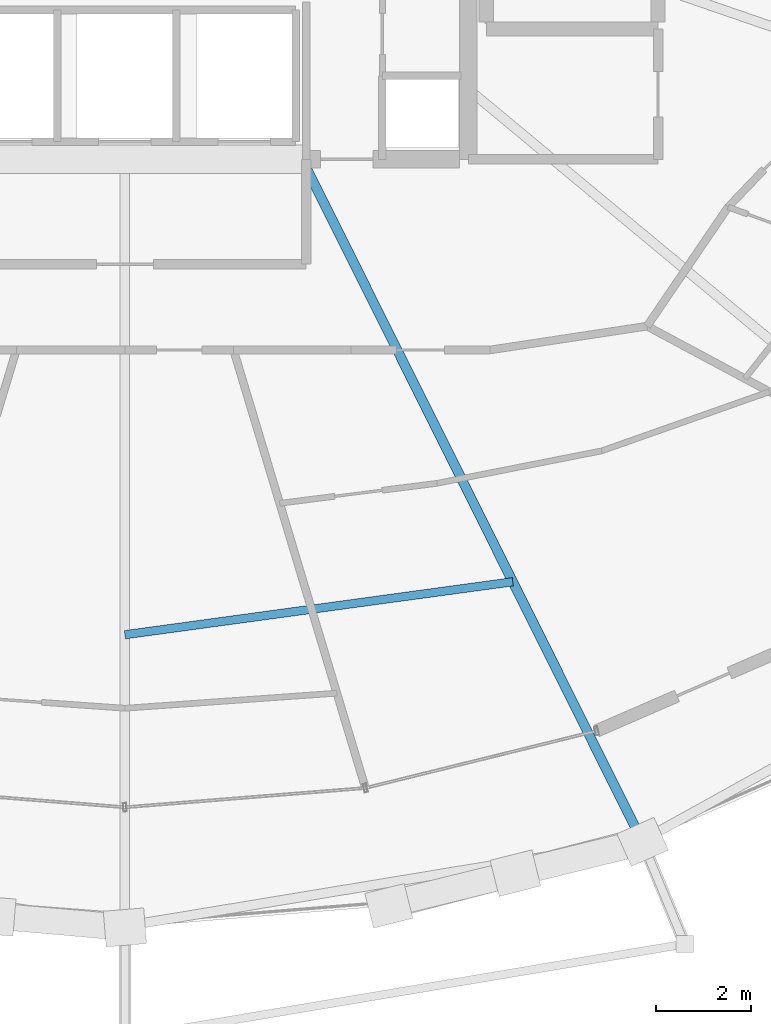
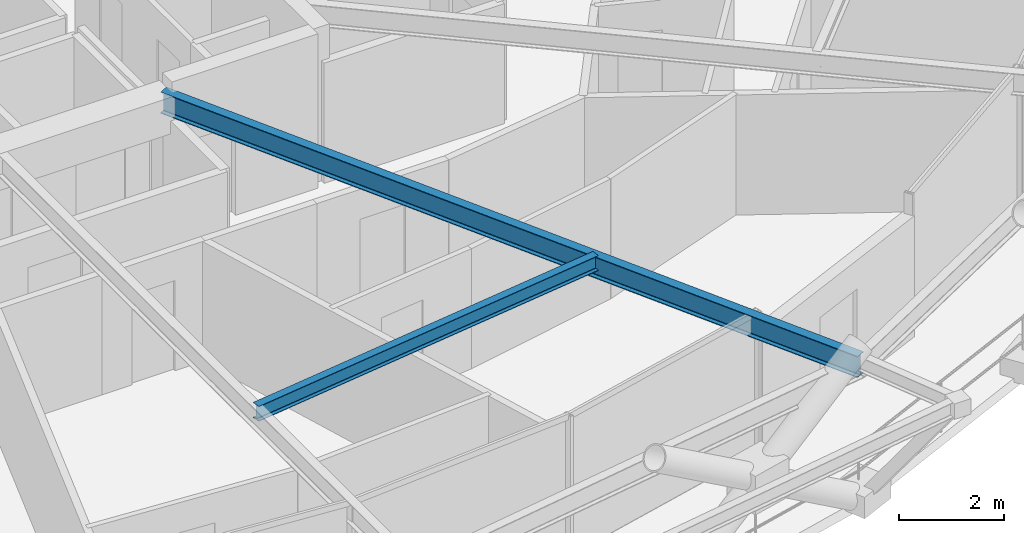
# One storey, part 5 of 22: 2 beams.
"""IFC4 building model written with IfcOpenShell, lengths in metres."""

from ifc_helpers import new_model, si_unit, direction, frame, origin, origin_2d, place, context, subcontext, project, spatial, i_section, extrude, material, material_profile, profile_set, type_object, element, save


model = new_model("IFC4")

# Units and contexts
model_context = context("Model", 3, precision=1e-05, world=origin(), true_north=direction((0.0, 1.0)))
body_context = subcontext(model_context, "Body", "Model", "MODEL_VIEW")
ifc_project = project(units=[si_unit("LENGTHUNIT", "METRE"), si_unit("AREAUNIT", "SQUARE_METRE"), si_unit("VOLUMEUNIT", "CUBIC_METRE"), si_unit("PLANEANGLEUNIT", "RADIAN"), si_unit("MASSUNIT", "GRAM", prefix="KILO")], contexts=[model_context])

# Site, building, storey
site_placement = place(None, origin())
site = spatial("IfcSite", under=ifc_project, at=site_placement, CompositionType="ELEMENT")
building_placement = place(site_placement, origin())
building = spatial("IfcBuilding", under=site, at=building_placement, Name="Veldorina Hangang Commons", CompositionType="ELEMENT")
storey_placement = place(building_placement, frame((0.0, 0.0, 146.0)))
storey = spatial("IfcBuildingStorey", under=building, at=storey_placement, Name="L37", CompositionType="ELEMENT", Elevation=146.0)

# Beams
ifc_material_1 = material(Name="Steel SM420-TMC", Category="steel")
ifc_material_profile_1 = material_profile(ifc_material_1, i_section(OverallWidth=0.199951171875, OverallDepth=0.5, WebThickness=0.010009765625, FlangeThickness=0.01611328125, FilletRadius=0.01611328125, at=origin_2d()), Name="H-500x200x10x16")
ifc_profile_set_1 = profile_set([ifc_material_profile_1], Name="Steel SM420-TMC")
beam_type_1 = type_object("IfcBeamType", Name="BM-FG500", PredefinedType="BEAM", material=ifc_profile_set_1)
beam_1_placement = place(storey_placement, frame((35.71533203125, 16.550048828125, 3.10009765625), z_axis=(0.446283850787, -0.894891459635, 0.0), x_axis=(0.894891459635, 0.446283850787, 0.0)))
element("IfcBeam", 1, at=beam_1_placement, inside=storey, type_object=beam_type_1, Name="L37 radial floor girder 14", PredefinedType="BEAM", context=body_context, shape_type="SweptSolid", body=[
    extrude(i_section(OverallWidth=0.199951171875, OverallDepth=0.5, WebThickness=0.010009765625, FlangeThickness=0.01611328125, FilletRadius=0.01611328125, at=origin_2d()), origin(), (0.0, 0.0, 1.0), 15.969482421875),
])
ifc_material_2 = material(Name="Steel SM355-TMC", Category="steel")
ifc_material_profile_2 = material_profile(ifc_material_2, i_section(OverallWidth=0.175048828125, OverallDepth=0.35009765625, WebThickness=0.007080078125, FlangeThickness=0.010986328125, FilletRadius=0.012939453125, at=origin_2d()), Name="H-350x175x7x11")
ifc_profile_set_2 = profile_set([ifc_material_profile_2], Name="Steel SM355-TMC")
beam_type_2 = type_object("IfcBeamType", Name="BM-JST350", PredefinedType="JOIST", material=ifc_profile_set_2)
beam_2_placement = place(storey_placement, frame((32.0, 6.5791015625, 3.175048828125), z_axis=(0.990807170996, 0.13528174268, 0.0), x_axis=(-0.13528174268, 0.990807170996, 0.0)))
element("IfcBeam", 2, at=beam_2_placement, inside=storey, type_object=beam_type_2, Name="L37 secondary floor joist 13", PredefinedType="JOIST", context=body_context, shape_type="SweptSolid", body=[
    extrude(i_section(OverallWidth=0.175048828125, OverallDepth=0.35009765625, WebThickness=0.007080078125, FlangeThickness=0.010986328125, FilletRadius=0.012939453125, at=origin_2d()), origin(), (0.0, 0.0, 1.0), 8.20947265625),
])

save(model, "model.ifc")
